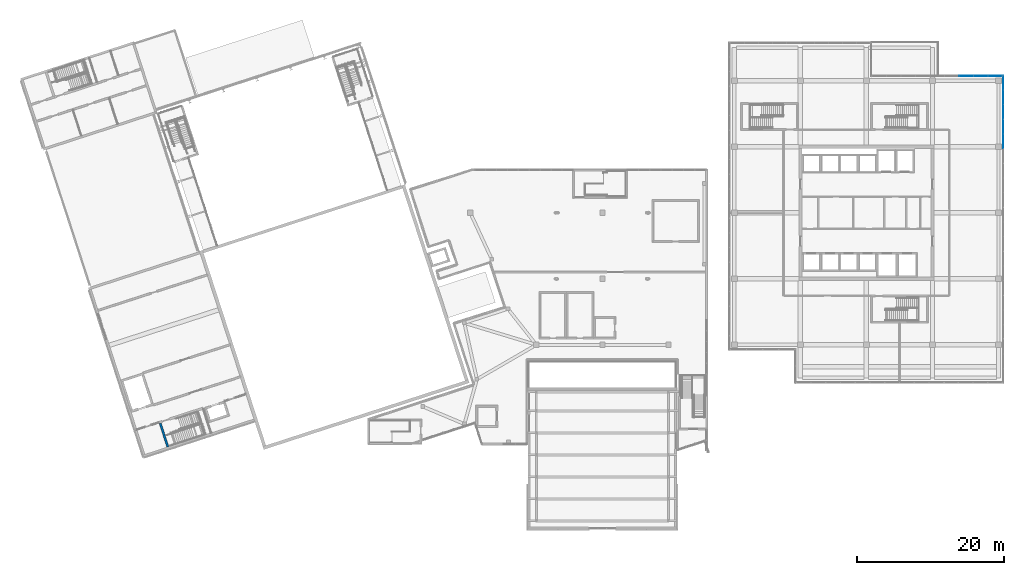
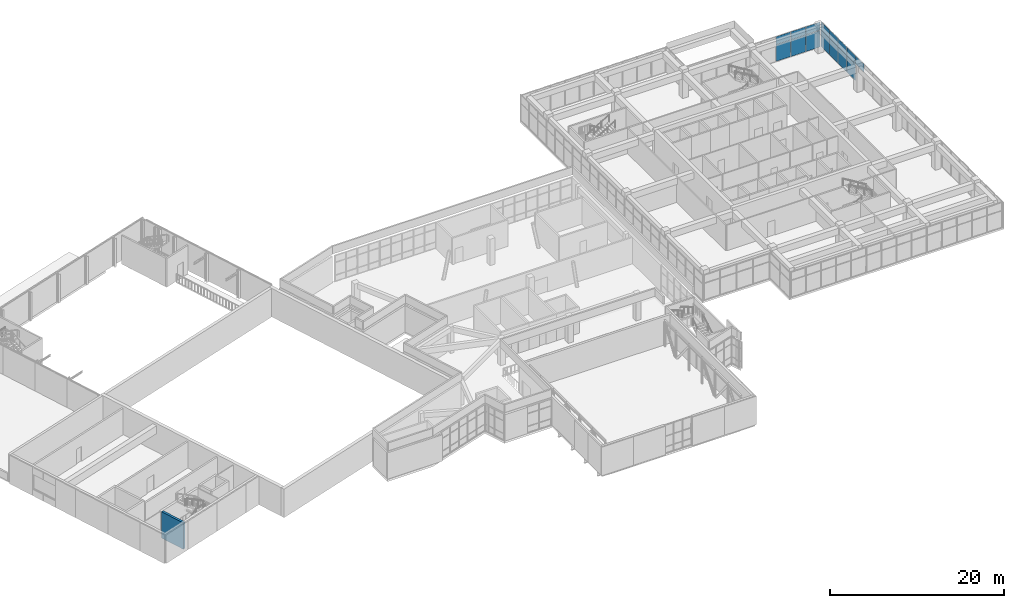
# One storey, part 59 of 72: 15 plates, 1 wall, 2 elements without a shape of their own.
"""IFC4 building model written with IfcOpenShell, lengths in metres."""

from ifc_helpers import new_model, si_unit, direction, frame, frame_2d, origin, origin_2d, place, context, subcontext, project, spatial, rectangle, extrude, material, layer, layer_set, type_object, element, aggregate, save


model = new_model("IFC4")

# Units and contexts
model_context = context("Model", 3, precision=1e-05, world=origin(), true_north=direction((0.0, 1.0)))
body_context = subcontext(model_context, "Body", "Model", "MODEL_VIEW")
ifc_project = project(units=[si_unit("LENGTHUNIT", "METRE"), si_unit("AREAUNIT", "SQUARE_METRE"), si_unit("VOLUMEUNIT", "CUBIC_METRE"), si_unit("PLANEANGLEUNIT", "RADIAN"), si_unit("MASSUNIT", "GRAM", prefix="KILO")], contexts=[model_context])

# Site, building, storey
site_placement = place(None, origin())
site = spatial("IfcSite", under=ifc_project, at=site_placement, CompositionType="ELEMENT")
building_placement = place(site_placement, origin())
building = spatial("IfcBuilding", under=site, at=building_placement, Name="Tuart Plaza Theatre", CompositionType="ELEMENT")
storey_placement = place(building_placement, frame((0.0, 0.0, 13.5)))
storey = spatial("IfcBuildingStorey", under=building, at=storey_placement, Name="L03", CompositionType="ELEMENT", Elevation=13.5)

# Curtain wall, plates
ifc_material_1 = material(Name="Aluminium and glass", Category="aluminium")
ifc_layer_1 = layer(ifc_material_1, 0.10009765625)
ifc_layer_set_1 = layer_set([ifc_layer_1], Name="CURTAIN WALL 2000 module")
curtain_wall_type = type_object("IfcCurtainWallType", Name="CURTAIN WALL 2000 module", PredefinedType="NOTDEFINED", material=ifc_layer_set_1)
curtain_wall_1_placement = place(storey_placement, origin())
curtain_wall_1 = element("IfcCurtainWall", 1, at=curtain_wall_1_placement, inside=storey, type_object=curtain_wall_type, Name="CW69", PredefinedType="NOTDEFINED")
ifc_material_2 = material(Name="Glass", Category="glass")
ifc_layer_2 = layer(ifc_material_2, 0.028076171875)
ifc_layer_set_2 = layer_set([ifc_layer_2], Name="CURTAIN PANEL double glazed 28")
plate_type = type_object("IfcPlateType", Name="CURTAIN PANEL double glazed 28", PredefinedType="CURTAIN_PANEL", material=ifc_layer_set_2)
plate_1_placement = place(storey_placement, frame((150.64990234375, 83.75, 2.425048828125), z_axis=(0.0, 0.0, 1.0), x_axis=(0.0, 1.0, 0.0)))
plate_1 = element("IfcPlate", 2, at=plate_1_placement, type_object=plate_type, Name="CW69 panel 17.2", PredefinedType="CURTAIN_PANEL", context=body_context, shape_type="SweptSolid", body=[
    extrude(rectangle(XDim=1.949951171875, YDim=0.028076171875, at=origin_2d()), origin(), (0.0, 0.0, 1.0), 1.10498046875),
])
plate_2_placement = place(storey_placement, frame((150.64990234375, 85.75, 0.0498046875), z_axis=(0.0, 0.0, 1.0), x_axis=(0.0, 1.0, 0.0)))
plate_2 = element("IfcPlate", 3, at=plate_2_placement, type_object=plate_type, Name="CW69 panel 18.1", PredefinedType="CURTAIN_PANEL", context=body_context, shape_type="SweptSolid", body=[
    extrude(rectangle(XDim=1.949951171875, YDim=0.028076171875, at=origin_2d()), origin(), (0.0, 0.0, 1.0), 2.324951171875),
])
plate_3_placement = place(storey_placement, frame((150.64990234375, 85.75, 2.425048828125), z_axis=(0.0, 0.0, 1.0), x_axis=(0.0, 1.0, 0.0)))
plate_3 = element("IfcPlate", 4, at=plate_3_placement, type_object=plate_type, Name="CW69 panel 18.2", PredefinedType="CURTAIN_PANEL", context=body_context, shape_type="SweptSolid", body=[
    extrude(rectangle(XDim=1.949951171875, YDim=0.028076171875, at=origin_2d()), origin(), (0.0, 0.0, 1.0), 1.10498046875),
])
plate_4_placement = place(storey_placement, frame((150.64990234375, 87.75, 0.0498046875), z_axis=(0.0, 0.0, 1.0), x_axis=(0.0, 1.0, 0.0)))
plate_4 = element("IfcPlate", 5, at=plate_4_placement, type_object=plate_type, Name="CW69 panel 19.1", PredefinedType="CURTAIN_PANEL", context=body_context, shape_type="SweptSolid", body=[
    extrude(rectangle(XDim=1.949951171875, YDim=0.028076171875, at=origin_2d()), origin(), (0.0, 0.0, 1.0), 2.324951171875),
])
plate_5_placement = place(storey_placement, frame((150.64990234375, 87.75, 2.425048828125), z_axis=(0.0, 0.0, 1.0), x_axis=(0.0, 1.0, 0.0)))
plate_5 = element("IfcPlate", 6, at=plate_5_placement, type_object=plate_type, Name="CW69 panel 19.2", PredefinedType="CURTAIN_PANEL", context=body_context, shape_type="SweptSolid", body=[
    extrude(rectangle(XDim=1.949951171875, YDim=0.028076171875, at=origin_2d()), origin(), (0.0, 0.0, 1.0), 1.10498046875),
])
plate_6_placement = place(storey_placement, frame((150.64990234375, 89.75, 0.0498046875), z_axis=(0.0, 0.0, 1.0), x_axis=(0.0, 1.0, 0.0)))
plate_6 = element("IfcPlate", 7, at=plate_6_placement, type_object=plate_type, Name="CW69 panel 20.1", PredefinedType="CURTAIN_PANEL", context=body_context, shape_type="SweptSolid", body=[
    extrude(rectangle(XDim=1.949951171875, YDim=0.028076171875, at=origin_2d()), origin(), (0.0, 0.0, 1.0), 2.324951171875),
])
plate_7_placement = place(storey_placement, frame((150.64990234375, 89.75, 2.425048828125), z_axis=(0.0, 0.0, 1.0), x_axis=(0.0, 1.0, 0.0)))
plate_7 = element("IfcPlate", 8, at=plate_7_placement, type_object=plate_type, Name="CW69 panel 20.2", PredefinedType="CURTAIN_PANEL", context=body_context, shape_type="SweptSolid", body=[
    extrude(rectangle(XDim=1.949951171875, YDim=0.028076171875, at=origin_2d()), origin(), (0.0, 0.0, 1.0), 1.10498046875),
])
plate_8_placement = place(storey_placement, frame((150.64990234375, 91.737548828125, 0.0498046875), z_axis=(0.0, 0.0, 1.0), x_axis=(0.0, 1.0, 0.0)))
plate_8 = element("IfcPlate", 9, at=plate_8_placement, type_object=plate_type, Name="CW69 panel 21.1", PredefinedType="CURTAIN_PANEL", context=body_context, shape_type="SweptSolid", body=[
    extrude(rectangle(XDim=1.925048828125, YDim=0.028076171875, at=origin_2d()), origin(), (0.0, 0.0, 1.0), 2.324951171875),
])
plate_9_placement = place(storey_placement, frame((150.64990234375, 91.737548828125, 2.425048828125), z_axis=(0.0, 0.0, 1.0), x_axis=(0.0, 1.0, 0.0)))
plate_9 = element("IfcPlate", 10, at=plate_9_placement, type_object=plate_type, Name="CW69 panel 21.2", PredefinedType="CURTAIN_PANEL", context=body_context, shape_type="SweptSolid", body=[
    extrude(rectangle(XDim=1.925048828125, YDim=0.028076171875, at=origin_2d()), origin(), (0.0, 0.0, 1.0), 1.10498046875),
])
aggregate(curtain_wall_1, [plate_1, plate_2, plate_3, plate_4, plate_5, plate_6, plate_7, plate_8, plate_9])

curtain_wall_2_placement = place(storey_placement, origin())
curtain_wall_2 = element("IfcCurtainWall", 11, at=curtain_wall_2_placement, inside=storey, type_object=curtain_wall_type, Name="CW70", PredefinedType="NOTDEFINED")
plate_10_placement = place(storey_placement, frame((149.548583984375, 92.64990234375, 0.0498046875), z_axis=(0.0, 0.0, 1.0), x_axis=(-1.0, 0.0, 0.0)))
plate_10 = element("IfcPlate", 12, at=plate_10_placement, type_object=plate_type, Name="CW70 panel 1.1", PredefinedType="CURTAIN_PANEL", context=body_context, shape_type="SweptSolid", body=[
    extrude(rectangle(XDim=1.90283203125, YDim=0.028076171875, at=origin_2d()), origin(), (0.0, 0.0, 1.0), 2.324951171875),
])
plate_11_placement = place(storey_placement, frame((149.548583984375, 92.64990234375, 2.425048828125), z_axis=(0.0, 0.0, 1.0), x_axis=(-1.0, 0.0, 0.0)))
plate_11 = element("IfcPlate", 13, at=plate_11_placement, type_object=plate_type, Name="CW70 panel 1.2", PredefinedType="CURTAIN_PANEL", context=body_context, shape_type="SweptSolid", body=[
    extrude(rectangle(XDim=1.90283203125, YDim=0.028076171875, at=origin_2d()), origin(), (0.0, 0.0, 1.0), 1.10498046875),
])
plate_12_placement = place(storey_placement, frame((147.583251953125, 92.64990234375, 0.0498046875), z_axis=(0.0, 0.0, 1.0), x_axis=(-1.0, 0.0, 0.0)))
plate_12 = element("IfcPlate", 14, at=plate_12_placement, type_object=plate_type, Name="CW70 panel 2.1", PredefinedType="CURTAIN_PANEL", context=body_context, shape_type="SweptSolid", body=[
    extrude(rectangle(XDim=1.927734375, YDim=0.028076171875, at=origin_2d()), origin(), (0.0, 0.0, 1.0), 2.324951171875),
])
plate_13_placement = place(storey_placement, frame((147.583251953125, 92.64990234375, 2.425048828125), z_axis=(0.0, 0.0, 1.0), x_axis=(-1.0, 0.0, 0.0)))
plate_13 = element("IfcPlate", 15, at=plate_13_placement, type_object=plate_type, Name="CW70 panel 2.2", PredefinedType="CURTAIN_PANEL", context=body_context, shape_type="SweptSolid", body=[
    extrude(rectangle(XDim=1.927734375, YDim=0.028076171875, at=origin_2d()), origin(), (0.0, 0.0, 1.0), 1.10498046875),
])
plate_14_placement = place(storey_placement, frame((145.60546875, 92.64990234375, 0.0498046875), z_axis=(0.0, 0.0, 1.0), x_axis=(-1.0, 0.0, 0.0)))
plate_14 = element("IfcPlate", 16, at=plate_14_placement, type_object=plate_type, Name="CW70 panel 3.1", PredefinedType="CURTAIN_PANEL", context=body_context, shape_type="SweptSolid", body=[
    extrude(rectangle(XDim=1.927734375, YDim=0.028076171875, at=origin_2d()), origin(), (0.0, 0.0, 1.0), 2.324951171875),
])
plate_15_placement = place(storey_placement, frame((145.60546875, 92.64990234375, 2.425048828125), z_axis=(0.0, 0.0, 1.0), x_axis=(-1.0, 0.0, 0.0)))
plate_15 = element("IfcPlate", 17, at=plate_15_placement, type_object=plate_type, Name="CW70 panel 3.2", PredefinedType="CURTAIN_PANEL", context=body_context, shape_type="SweptSolid", body=[
    extrude(rectangle(XDim=1.927734375, YDim=0.028076171875, at=origin_2d()), origin(), (0.0, 0.0, 1.0), 1.10498046875),
])
aggregate(curtain_wall_2, [plate_10, plate_11, plate_12, plate_13, plate_14, plate_15])

# Wall
ifc_material_3 = material(Name="Concrete N40 (40 MPa)", Category="concrete")
ifc_layer_3 = layer(ifc_material_3, 0.300048828125)
ifc_layer_set_3 = layer_set([ifc_layer_3], Name="WALL RC300 LB FRL 120/120/120")
wall_type = type_object("IfcWallType", Name="WALL RC300 LB FRL 120/120/120", PredefinedType="SOLIDWALL", material=ifc_layer_set_3)
wall_placement = place(storey_placement, frame((35.731201171875, 45.30224609375, 0.0), z_axis=(0.0, 0.0, 1.0), x_axis=(0.308980533303, -0.951068362443, 0.0)))
element("IfcWall", 18, at=wall_placement, inside=storey, type_object=wall_type, Name="W108", PredefinedType="SOLIDWALL", context=body_context, shape_type="SweptSolid", body=[
    extrude(rectangle(XDim=3.39990234375, YDim=0.300048828125, at=frame_2d((1.699951171875, 0.0))), origin(), (0.0, 0.0, 1.0), 3.699951171875),
])

save(model, "model.ifc")
